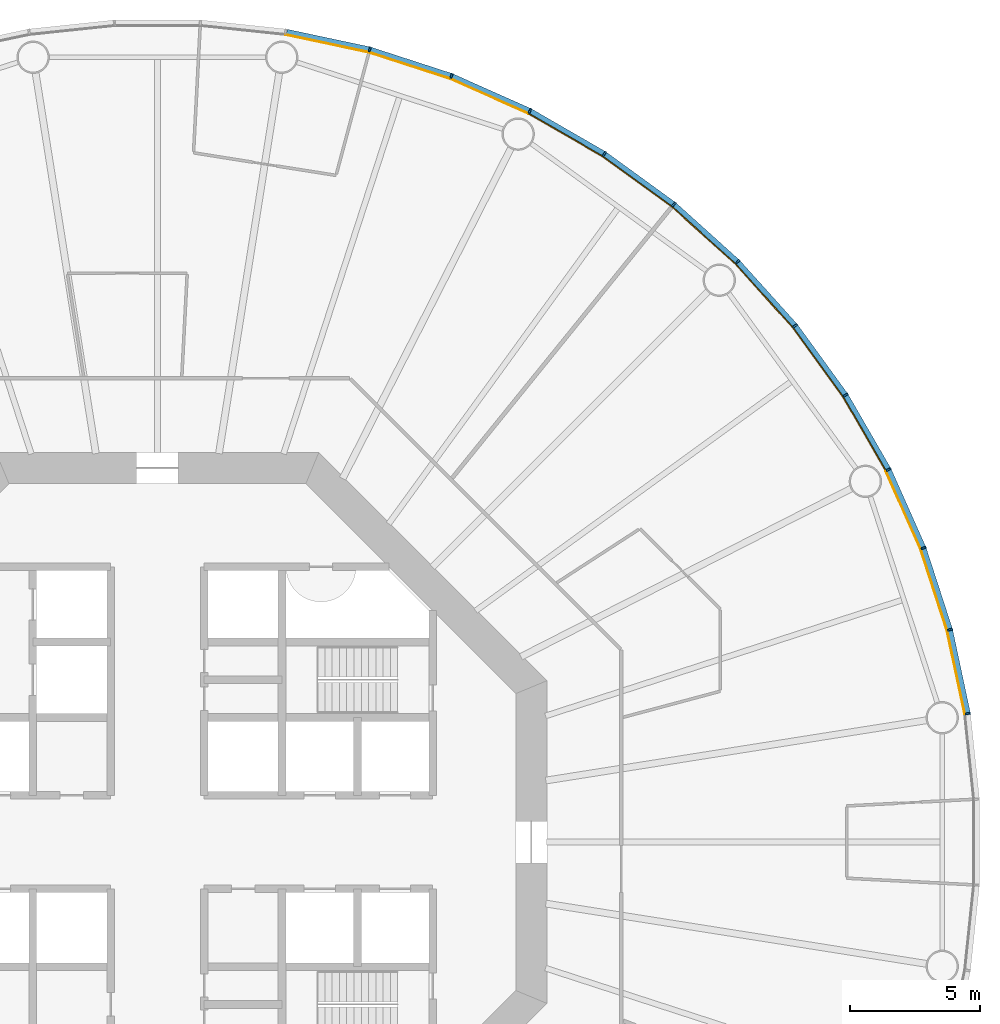
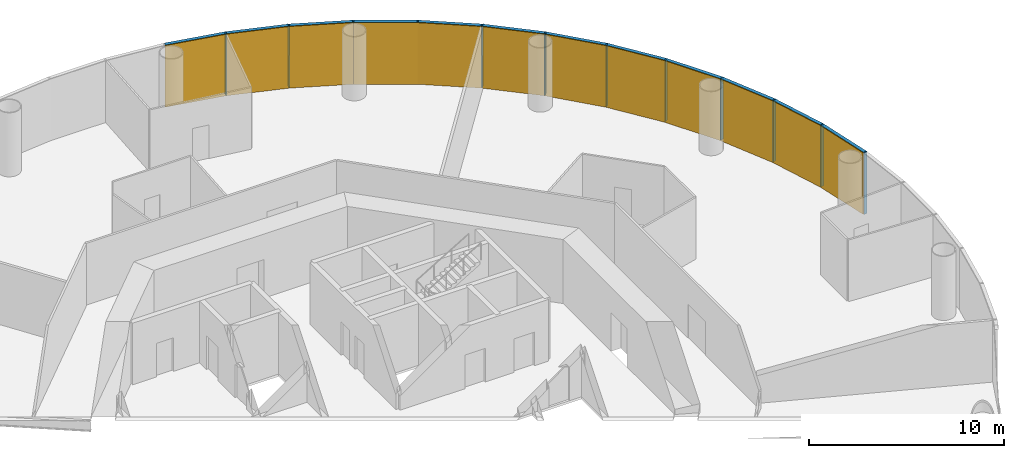
# One storey, part 12 of 13: 24 members, 4 curtain walls.
"""IFC4 building model written with IfcOpenShell, lengths in metres."""

from ifc_helpers import new_model, si_unit, direction, frame, origin, origin_2d, place, context, subcontext, project, spatial, polyline, rectangle, outline, extrude, material, layer, layer_set, material_profile, profile_set, type_object, element, aggregate, save


model = new_model("IFC4")

# Units and contexts
model_context = context("Model", 3, precision=1e-05, world=origin(), true_north=direction((0.0, 1.0)))
body_context = subcontext(model_context, "Body", "Model", "MODEL_VIEW")
ifc_project = project(units=[si_unit("LENGTHUNIT", "METRE"), si_unit("AREAUNIT", "SQUARE_METRE"), si_unit("VOLUMEUNIT", "CUBIC_METRE"), si_unit("PLANEANGLEUNIT", "RADIAN"), si_unit("MASSUNIT", "GRAM", prefix="KILO")], contexts=[model_context])

# Member
ifc_material_1 = material(Name="Anodised aluminium", Category="aluminium")
ifc_material_profile_1 = material_profile(ifc_material_1, rectangle(XDim=0.070068359375, YDim=0.199951171875, at=origin_2d()), Name="Mullion 70 x 200 mm anodised aluminium")
ifc_profile_set_1 = profile_set([ifc_material_profile_1], Name="Anodised aluminium")
member_type_1 = type_object("IfcMemberType", Name="Mullion 70 x 200 mm anodised aluminium", PredefinedType="MULLION", material=ifc_profile_set_1)
site_placement = place(None, origin())
building_placement = place(site_placement, origin())
storey_placement = place(building_placement, frame((0.0, 0.0, 120.0)))
member_1_placement = place(storey_placement, frame((121.2109375, 84.943359375, 0.0), z_axis=(0.0, 0.0, 1.0), x_axis=(-0.15643446504, 0.987688340595, 0.0)))
member_1 = element("IfcMember", 1, at=member_1_placement, type_object=member_type_1, Name="MULLION L27-00", PredefinedType="MULLION", context=body_context, shape_type="SweptSolid", body=[
    extrude(rectangle(XDim=0.070068359375, YDim=0.199951171875, at=origin_2d()), origin(), (0.0, 0.0, 1.0), 3.85009765625),
])

member_2_placement = place(storey_placement, frame((120.523193359375, 88.1787109375, 0.0), z_axis=(0.0, 0.0, 1.0), x_axis=(-0.258819045103, 0.965925826289, 0.0)))
member_2 = element("IfcMember", 2, at=member_2_placement, type_object=member_type_1, Name="MULLION L27-01", PredefinedType="MULLION", context=body_context, shape_type="SweptSolid", body=[
    extrude(rectangle(XDim=0.070068359375, YDim=0.199951171875, at=origin_2d()), origin(), (0.0, 0.0, 1.0), 3.85009765625),
])

member_3_placement = place(storey_placement, frame((119.501220703125, 91.324462890625, 0.0), z_axis=(0.0, 0.0, 1.0), x_axis=(-0.358367949545, 0.933580426497, 0.0)))
member_3 = element("IfcMember", 3, at=member_3_placement, type_object=member_type_1, Name="MULLION L27-02", PredefinedType="MULLION", context=body_context, shape_type="SweptSolid", body=[
    extrude(rectangle(XDim=0.070068359375, YDim=0.199951171875, at=origin_2d()), origin(), (0.0, 0.0, 1.0), 3.85009765625),
])

member_4_placement = place(storey_placement, frame((118.15576171875, 94.34619140625, 0.0), z_axis=(0.0, 0.0, 1.0), x_axis=(-0.45399049974, 0.891006524188, 0.0)))
member_4 = element("IfcMember", 4, at=member_4_placement, type_object=member_type_1, Name="MULLION L27-03", PredefinedType="MULLION", context=body_context, shape_type="SweptSolid", body=[
    extrude(rectangle(XDim=0.070068359375, YDim=0.199951171875, at=origin_2d()), origin(), (0.0, 0.0, 1.0), 3.85009765625),
])

member_5_placement = place(storey_placement, frame((116.501953125, 97.210693359375, 0.0), z_axis=(0.0, 0.0, 1.0), x_axis=(-0.544639035015, 0.838670567945, 0.0)))
member_5 = element("IfcMember", 5, at=member_5_placement, type_object=member_type_1, Name="MULLION L27-04", PredefinedType="MULLION", context=body_context, shape_type="SweptSolid", body=[
    extrude(rectangle(XDim=0.070068359375, YDim=0.199951171875, at=origin_2d()), origin(), (0.0, 0.0, 1.0), 3.85009765625),
])

member_6_placement = place(storey_placement, frame((114.557861328125, 99.886474609375, 0.0), z_axis=(0.0, 0.0, 1.0), x_axis=(-0.62932039105, 0.777145961457, 0.0)))
member_6 = element("IfcMember", 6, at=member_6_placement, type_object=member_type_1, Name="MULLION L27-05", PredefinedType="MULLION", context=body_context, shape_type="SweptSolid", body=[
    extrude(rectangle(XDim=0.070068359375, YDim=0.199951171875, at=origin_2d()), origin(), (0.0, 0.0, 1.0), 3.85009765625),
])

member_7_placement = place(storey_placement, frame((112.344482421875, 102.344482421875, 0.0), z_axis=(0.0, 0.0, 1.0), x_axis=(-0.707106781187, 0.707106781187, 0.0)))
member_7 = element("IfcMember", 7, at=member_7_placement, type_object=member_type_1, Name="MULLION L27-06", PredefinedType="MULLION", context=body_context, shape_type="SweptSolid", body=[
    extrude(rectangle(XDim=0.070068359375, YDim=0.199951171875, at=origin_2d()), origin(), (0.0, 0.0, 1.0), 3.85009765625),
])

member_8_placement = place(storey_placement, frame((109.886474609375, 104.557861328125, 0.0), z_axis=(0.0, 0.0, 1.0), x_axis=(-0.777145961457, 0.62932039105, 0.0)))
member_8 = element("IfcMember", 8, at=member_8_placement, type_object=member_type_1, Name="MULLION L27-07", PredefinedType="MULLION", context=body_context, shape_type="SweptSolid", body=[
    extrude(rectangle(XDim=0.070068359375, YDim=0.199951171875, at=origin_2d()), origin(), (0.0, 0.0, 1.0), 3.85009765625),
])

member_9_placement = place(storey_placement, frame((107.210693359375, 106.501953125, 0.0), z_axis=(0.0, 0.0, 1.0), x_axis=(-0.838670567945, 0.544639035015, 0.0)))
member_9 = element("IfcMember", 9, at=member_9_placement, type_object=member_type_1, Name="MULLION L27-08", PredefinedType="MULLION", context=body_context, shape_type="SweptSolid", body=[
    extrude(rectangle(XDim=0.070068359375, YDim=0.199951171875, at=origin_2d()), origin(), (0.0, 0.0, 1.0), 3.85009765625),
])

member_10_placement = place(storey_placement, frame((104.34619140625, 108.15576171875, 0.0), z_axis=(0.0, 0.0, 1.0), x_axis=(-0.891006524188, 0.45399049974, 0.0)))
member_10 = element("IfcMember", 10, at=member_10_placement, type_object=member_type_1, Name="MULLION L27-09", PredefinedType="MULLION", context=body_context, shape_type="SweptSolid", body=[
    extrude(rectangle(XDim=0.070068359375, YDim=0.199951171875, at=origin_2d()), origin(), (0.0, 0.0, 1.0), 3.85009765625),
])

member_11_placement = place(storey_placement, frame((101.324462890625, 109.501220703125, 0.0), z_axis=(0.0, 0.0, 1.0), x_axis=(-0.933580426497, 0.358367949545, 0.0)))
member_11 = element("IfcMember", 11, at=member_11_placement, type_object=member_type_1, Name="MULLION L27-10", PredefinedType="MULLION", context=body_context, shape_type="SweptSolid", body=[
    extrude(rectangle(XDim=0.070068359375, YDim=0.199951171875, at=origin_2d()), origin(), (0.0, 0.0, 1.0), 3.85009765625),
])

member_12_placement = place(storey_placement, frame((98.1787109375, 110.523193359375, 0.0), z_axis=(0.0, 0.0, 1.0), x_axis=(-0.965925826289, 0.258819045103, 0.0)))
member_12 = element("IfcMember", 12, at=member_12_placement, type_object=member_type_1, Name="MULLION L27-11", PredefinedType="MULLION", context=body_context, shape_type="SweptSolid", body=[
    extrude(rectangle(XDim=0.070068359375, YDim=0.199951171875, at=origin_2d()), origin(), (0.0, 0.0, 1.0), 3.85009765625),
])

ifc_material_2 = material(Name="Anodised aluminium", Category="aluminium")
ifc_material_profile_2 = material_profile(ifc_material_2, rectangle(XDim=0.199951171875, YDim=0.18994140625, at=origin_2d()), Name="Transom 190 x 200 mm anodised aluminium")
ifc_profile_set_2 = profile_set([ifc_material_profile_2], Name="Anodised aluminium")
member_type_2 = type_object("IfcMemberType", Name="Transom 190 x 200 mm anodised aluminium", PredefinedType="USERDEFINED", material=ifc_profile_set_2)
member_13_placement = place(storey_placement, frame((121.20263671875, 84.982666015625, 3.7548828125), z_axis=(-0.207885898771, 0.978153082647, 0.0), x_axis=(-0.978153082647, -0.207885898771, 0.0)))
member_13 = element("IfcMember", 13, at=member_13_placement, type_object=member_type_2, Name="TRANSOM L27-00", ObjectType="TRANSOM", PredefinedType="USERDEFINED", context=body_context, shape_type="SweptSolid", body=[
    extrude(rectangle(XDim=0.199951171875, YDim=0.18994140625, at=origin_2d()), origin(), (0.0, 0.0, 1.0), 3.227294921875),
])

member_14_placement = place(storey_placement, frame((120.510986328125, 88.217041015625, 3.7548828125), z_axis=(-0.309046726844, 0.951046855117, 0.0), x_axis=(-0.951046855117, -0.309046726844, 0.0)))
member_14 = element("IfcMember", 14, at=member_14_placement, type_object=member_type_2, Name="TRANSOM L27-01", ObjectType="TRANSOM", PredefinedType="USERDEFINED", context=body_context, shape_type="SweptSolid", body=[
    extrude(rectangle(XDim=0.199951171875, YDim=0.18994140625, at=origin_2d()), origin(), (0.0, 0.0, 1.0), 3.22705078125),
])

member_15_placement = place(storey_placement, frame((119.48486328125, 91.361328125, 3.7548828125), z_axis=(-0.406728032322, 0.913549291349, 0.0), x_axis=(-0.913549291349, -0.406728032322, 0.0)))
member_15 = element("IfcMember", 15, at=member_15_placement, type_object=member_type_2, Name="TRANSOM L27-02", ObjectType="TRANSOM", PredefinedType="USERDEFINED", context=body_context, shape_type="SweptSolid", body=[
    extrude(rectangle(XDim=0.199951171875, YDim=0.18994140625, at=origin_2d()), origin(), (0.0, 0.0, 1.0), 3.22705078125),
])

member_16_placement = place(storey_placement, frame((118.1357421875, 94.381103515625, 3.7548828125), z_axis=(-0.500004055213, 0.866023062494, 0.0), x_axis=(-0.866023062494, -0.500004055213, 0.0)))
member_16 = element("IfcMember", 16, at=member_16_placement, type_object=member_type_2, Name="TRANSOM L27-03", ObjectType="TRANSOM", PredefinedType="USERDEFINED", context=body_context, shape_type="SweptSolid", body=[
    extrude(rectangle(XDim=0.199951171875, YDim=0.18994140625, at=origin_2d()), origin(), (0.0, 0.0, 1.0), 3.22705078125),
])

member_17_placement = place(storey_placement, frame((116.478515625, 97.2431640625, 3.7548828125), z_axis=(-0.587802790201, 0.809004252048, 0.0), x_axis=(-0.809004252048, -0.587802790201, 0.0)))
member_17 = element("IfcMember", 17, at=member_17_placement, type_object=member_type_2, Name="TRANSOM L27-04", ObjectType="TRANSOM", PredefinedType="USERDEFINED", context=body_context, shape_type="SweptSolid", body=[
    extrude(rectangle(XDim=0.199951171875, YDim=0.18994140625, at=origin_2d()), origin(), (0.0, 0.0, 1.0), 3.227294921875),
])

member_18_placement = place(storey_placement, frame((114.531005859375, 99.91650390625, 3.7548828125), z_axis=(-0.669144438484, 0.743132370743, 0.0), x_axis=(-0.743132370743, -0.669144438484, 0.0)))
member_18 = element("IfcMember", 18, at=member_18_placement, type_object=member_type_2, Name="TRANSOM L27-05", ObjectType="TRANSOM", PredefinedType="USERDEFINED", context=body_context, shape_type="SweptSolid", body=[
    extrude(rectangle(XDim=0.199951171875, YDim=0.18994140625, at=origin_2d()), origin(), (0.0, 0.0, 1.0), 3.22705078125),
])

member_19_placement = place(storey_placement, frame((112.314697265625, 102.37158203125, 3.7548828125), z_axis=(-0.743132370743, 0.669144438484, 0.0), x_axis=(-0.669144438484, -0.743132370743, 0.0)))
member_19 = element("IfcMember", 19, at=member_19_placement, type_object=member_type_2, Name="TRANSOM L27-06", ObjectType="TRANSOM", PredefinedType="USERDEFINED", context=body_context, shape_type="SweptSolid", body=[
    extrude(rectangle(XDim=0.199951171875, YDim=0.18994140625, at=origin_2d()), origin(), (0.0, 0.0, 1.0), 3.22705078125),
])

member_20_placement = place(storey_placement, frame((109.85400390625, 104.58154296875, 3.7548828125), z_axis=(-0.809004252048, 0.587802790201, 0.0), x_axis=(-0.587802790201, -0.809004252048, 0.0)))
member_20 = element("IfcMember", 20, at=member_20_placement, type_object=member_type_2, Name="TRANSOM L27-07", ObjectType="TRANSOM", PredefinedType="USERDEFINED", context=body_context, shape_type="SweptSolid", body=[
    extrude(rectangle(XDim=0.199951171875, YDim=0.18994140625, at=origin_2d()), origin(), (0.0, 0.0, 1.0), 3.227294921875),
])

member_21_placement = place(storey_placement, frame((107.17578125, 106.522216796875, 3.7548828125), z_axis=(-0.866023062494, 0.500004055213, 0.0), x_axis=(-0.500004055213, -0.866023062494, 0.0)))
member_21 = element("IfcMember", 21, at=member_21_placement, type_object=member_type_2, Name="TRANSOM L27-08", ObjectType="TRANSOM", PredefinedType="USERDEFINED", context=body_context, shape_type="SweptSolid", body=[
    extrude(rectangle(XDim=0.199951171875, YDim=0.18994140625, at=origin_2d()), origin(), (0.0, 0.0, 1.0), 3.22705078125),
])

member_22_placement = place(storey_placement, frame((104.309326171875, 108.17236328125, 3.7548828125), z_axis=(-0.913549291349, 0.406728032322, 0.0), x_axis=(-0.406728032322, -0.913549291349, 0.0)))
member_22 = element("IfcMember", 22, at=member_22_placement, type_object=member_type_2, Name="TRANSOM L27-09", ObjectType="TRANSOM", PredefinedType="USERDEFINED", context=body_context, shape_type="SweptSolid", body=[
    extrude(rectangle(XDim=0.199951171875, YDim=0.18994140625, at=origin_2d()), origin(), (0.0, 0.0, 1.0), 3.22705078125),
])

member_23_placement = place(storey_placement, frame((101.2861328125, 109.513671875, 3.7548828125), z_axis=(-0.951046855117, 0.309046726844, 0.0), x_axis=(-0.309046726844, -0.951046855117, 0.0)))
member_23 = element("IfcMember", 23, at=member_23_placement, type_object=member_type_2, Name="TRANSOM L27-10", ObjectType="TRANSOM", PredefinedType="USERDEFINED", context=body_context, shape_type="SweptSolid", body=[
    extrude(rectangle(XDim=0.199951171875, YDim=0.18994140625, at=origin_2d()), origin(), (0.0, 0.0, 1.0), 3.22705078125),
])

member_24_placement = place(storey_placement, frame((98.139404296875, 110.53173828125, 3.7548828125), z_axis=(-0.978153082647, 0.207885898771, 0.0), x_axis=(-0.207885898771, -0.978153082647, 0.0)))
member_24 = element("IfcMember", 24, at=member_24_placement, type_object=member_type_2, Name="TRANSOM L27-11", ObjectType="TRANSOM", PredefinedType="USERDEFINED", context=body_context, shape_type="SweptSolid", body=[
    extrude(rectangle(XDim=0.199951171875, YDim=0.18994140625, at=origin_2d()), origin(), (0.0, 0.0, 1.0), 3.227294921875),
])

# Site, building, storey
site = spatial("IfcSite", under=ifc_project, at=site_placement, CompositionType="ELEMENT")
building = spatial("IfcBuilding", under=site, at=building_placement, Name="Entoto Ring Tower", CompositionType="ELEMENT")
storey = spatial("IfcBuildingStorey", under=building, at=storey_placement, Name="L27", CompositionType="ELEMENT", Elevation=120.0)

# Curtain wall
ifc_material_3 = material(Name="Clear low-iron glass", Category="glass")
ifc_layer = layer(ifc_material_3, 0.035888671875)
ifc_layer_set = layer_set([ifc_layer], Name="Clear low-iron glass")
curtain_wall_type = type_object("IfcCurtainWallType", Name="Curtain wall system CW2 glazing 36 mm", PredefinedType="NOTDEFINED", material=ifc_layer_set)
curtain_wall_1_placement = place(storey_placement, origin())
curtain_wall_1 = element("IfcCurtainWall", 25, at=curtain_wall_1_placement, inside=storey, type_object=curtain_wall_type, Name="CW2 L27-01", PredefinedType="NOTDEFINED", context=body_context, shape_type="SweptSolid", body=[
    extrude(outline(polyline([(121.1123046875, 84.927734375), (120.4267578125, 88.15283203125), (119.40771484375, 91.28857421875), (118.066650390625, 94.30078125), (118.03466796875, 94.284423828125), (119.3740234375, 91.275634765625), (120.391845703125, 88.1435546875), (121.07666015625, 84.922119140625), (121.1123046875, 84.927734375)])), origin(), (0.0, 0.0, 1.0), 3.85009765625),
])

aggregate(curtain_wall_1, [member_1, member_2, member_3, member_13, member_14, member_15])

curtain_wall_2_placement = place(storey_placement, origin())
curtain_wall_2 = element("IfcCurtainWall", 26, at=curtain_wall_2_placement, inside=storey, type_object=curtain_wall_type, Name="CW2 L27-02", PredefinedType="NOTDEFINED", context=body_context, shape_type="SweptSolid", body=[
    extrude(outline(polyline([(118.066650390625, 94.30078125), (116.418212890625, 97.15625), (114.47998046875, 99.823486328125), (112.27392578125, 102.27392578125), (112.248291015625, 102.248291015625), (114.4521484375, 99.801025390625), (116.387939453125, 97.136474609375), (118.03466796875, 94.284423828125), (118.066650390625, 94.30078125)])), origin(), (0.0, 0.0, 1.0), 3.85009765625),
])

aggregate(curtain_wall_2, [member_4, member_5, member_6, member_16, member_17, member_18])

curtain_wall_3_placement = place(storey_placement, origin())
curtain_wall_3 = element("IfcCurtainWall", 27, at=curtain_wall_3_placement, inside=storey, type_object=curtain_wall_type, Name="CW2 L27-03", PredefinedType="NOTDEFINED", context=body_context, shape_type="SweptSolid", body=[
    extrude(outline(polyline([(112.27392578125, 102.27392578125), (109.823486328125, 104.47998046875), (107.15625, 106.418212890625), (104.30078125, 108.066650390625), (104.284423828125, 108.03466796875), (107.136474609375, 106.387939453125), (109.801025390625, 104.4521484375), (112.248291015625, 102.248291015625), (112.27392578125, 102.27392578125)])), origin(), (0.0, 0.0, 1.0), 3.85009765625),
])

aggregate(curtain_wall_3, [member_7, member_8, member_9, member_19, member_20, member_21])

curtain_wall_4_placement = place(storey_placement, origin())
curtain_wall_4 = element("IfcCurtainWall", 28, at=curtain_wall_4_placement, inside=storey, type_object=curtain_wall_type, Name="CW2 L27-04", PredefinedType="NOTDEFINED", context=body_context, shape_type="SweptSolid", body=[
    extrude(outline(polyline([(104.30078125, 108.066650390625), (101.28857421875, 109.40771484375), (98.15283203125, 110.4267578125), (94.927734375, 111.1123046875), (94.922119140625, 111.07666015625), (98.1435546875, 110.391845703125), (101.275634765625, 109.3740234375), (104.284423828125, 108.03466796875), (104.30078125, 108.066650390625)])), origin(), (0.0, 0.0, 1.0), 3.85009765625),
])

aggregate(curtain_wall_4, [member_10, member_11, member_12, member_22, member_23, member_24])

save(model, "model.ifc")
